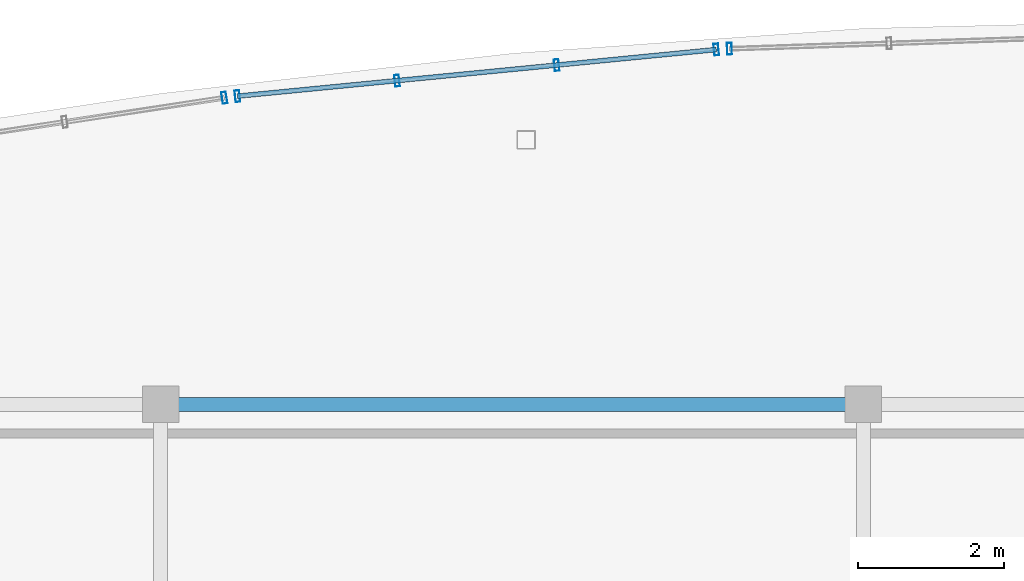
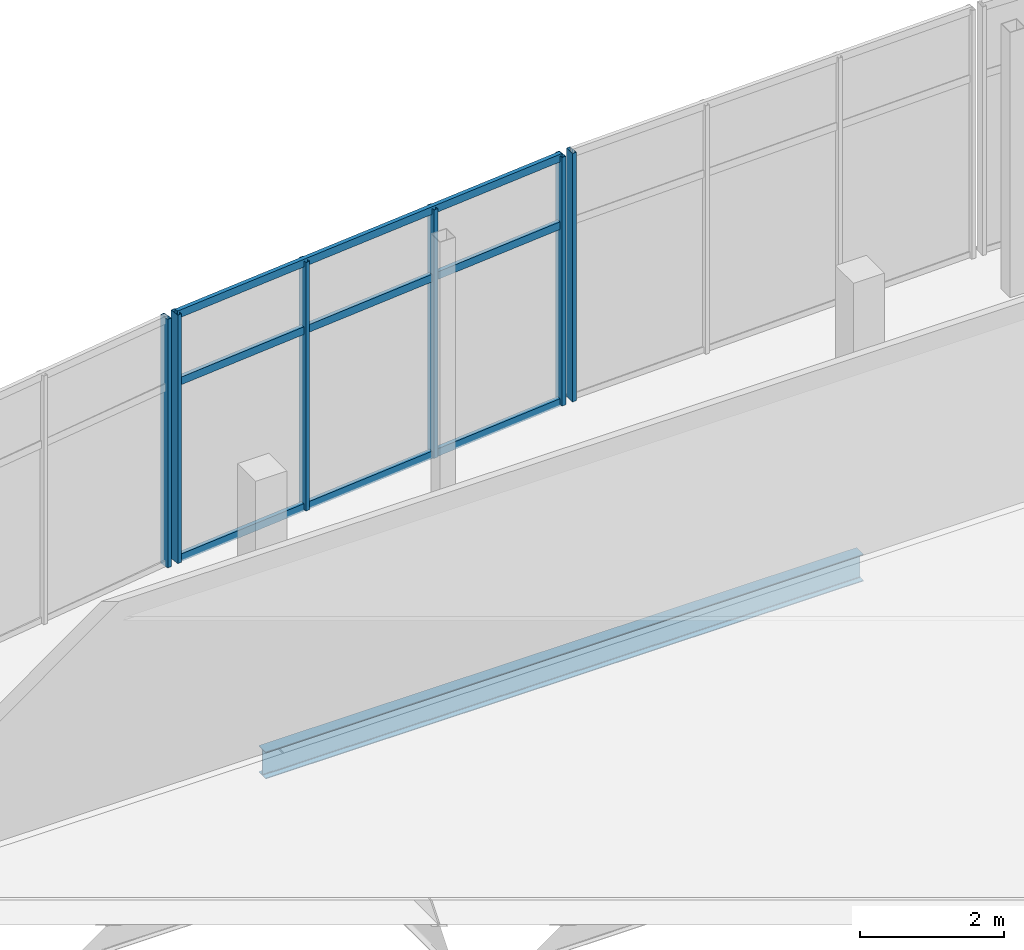
# One storey, part 70 of 114: 9 members, 1 beam, 3 elements without a shape of their own.
"""IFC4 building model written with IfcOpenShell, lengths in metres."""

from ifc_helpers import new_model, si_unit, direction, frame, origin, origin_2d, place, context, subcontext, project, spatial, hollow_rectangle, i_section, extrude, material, layer, layer_set, material_profile, profile_set, type_object, element, aggregate, save


model = new_model("IFC4")

# Units and contexts
model_context = context("Model", 3, precision=1e-05, world=origin(), true_north=direction((0.0, 1.0)))
body_context = subcontext(model_context, "Body", "Model", "MODEL_VIEW")
ifc_project = project(units=[si_unit("LENGTHUNIT", "METRE"), si_unit("AREAUNIT", "SQUARE_METRE"), si_unit("VOLUMEUNIT", "CUBIC_METRE"), si_unit("PLANEANGLEUNIT", "RADIAN"), si_unit("MASSUNIT", "GRAM", prefix="KILO")], contexts=[model_context])

# Site, building, storey
site_placement = place(None, origin())
site = spatial("IfcSite", under=ifc_project, at=site_placement, CompositionType="ELEMENT")
building_placement = place(site_placement, origin())
building = spatial("IfcBuilding", under=site, at=building_placement, Name="Chalmorin Arch Market", CompositionType="ELEMENT")
storey_placement = place(building_placement, frame((0.0, 0.0, 9.60009765625)))
storey = spatial("IfcBuildingStorey", under=building, at=storey_placement, Name="L02", CompositionType="ELEMENT", Elevation=9.60009765625)

# Curtain wall, member
ifc_material_1 = material(Name="Aluminium 6063-T6", Category="aluminium")
ifc_layer_1 = layer(ifc_material_1, 0.159912109375)
ifc_layer_set_1 = layer_set([ifc_layer_1], Name="Aluminium 6063-T6")
curtain_wall_type_1 = type_object("IfcCurtainWallType", Name="CulinaryStudioCurtainWall-CW3-6620x4220", PredefinedType="NOTDEFINED", material=ifc_layer_set_1)
curtain_wall_1_placement = place(storey_placement, origin())
curtain_wall_1 = element("IfcCurtainWall", 1, at=curtain_wall_1_placement, inside=storey, type_object=curtain_wall_type_1, Name="CW-03-128", PredefinedType="NOTDEFINED")
ifc_material_profile_1 = material_profile(ifc_material_1, hollow_rectangle(XDim=0.06494140625, YDim=0.159912109375, WallThickness=0.00390625, at=origin_2d()), Name="ALU65X160X4")
ifc_profile_set_1 = profile_set([ifc_material_profile_1], Name="Aluminium 6063-T6")
member_type_1 = type_object("IfcMemberType", Name="CurtainWallMullion-65x160", PredefinedType="MULLION", material=ifc_profile_set_1)
member_1_placement = place(storey_placement, frame((68.071044921875, 122.1875, 0.0), z_axis=(0.0, 0.0, 1.0), x_axis=(0.987688340595, 0.15643446504, 0.0)))
member_1 = element("IfcMember", 2, at=member_1_placement, type_object=member_type_1, Name="ML-128-04", PredefinedType="MULLION", context=body_context, shape_type="SweptSolid", body=[
    extrude(hollow_rectangle(XDim=0.06494140625, YDim=0.159912109375, WallThickness=0.00390625, at=origin_2d()), origin(), (0.0, 0.0, 1.0), 4.219970703125),
])
aggregate(curtain_wall_1, [member_1])

# Curtain wall, members
ifc_layer_2 = layer(ifc_material_1, 0.159912109375)
ifc_layer_set_2 = layer_set([ifc_layer_2], Name="Aluminium 6063-T6")
curtain_wall_type_2 = type_object("IfcCurtainWallType", Name="CulinaryStudioCurtainWall-CW3-6570x4220", PredefinedType="NOTDEFINED", material=ifc_layer_set_2)
curtain_wall_2_placement = place(storey_placement, origin())
curtain_wall_2 = element("IfcCurtainWall", 3, at=curtain_wall_2_placement, inside=storey, type_object=curtain_wall_type_2, Name="CW-03-131", PredefinedType="NOTDEFINED")
member_2_placement = place(storey_placement, frame((68.24951171875, 122.209716796875, 0.0), z_axis=(0.0, 0.0, 1.0), x_axis=(0.994521895368, 0.104528463268, 0.0)))
member_2 = element("IfcMember", 4, at=member_2_placement, type_object=member_type_1, Name="ML-131-01", PredefinedType="MULLION", context=body_context, shape_type="SweptSolid", body=[
    extrude(hollow_rectangle(XDim=0.06494140625, YDim=0.159912109375, WallThickness=0.00390625, at=origin_2d()), origin(), (0.0, 0.0, 1.0), 4.219970703125),
])
member_3_placement = place(storey_placement, frame((70.429931640625, 122.421875, 0.0), z_axis=(0.0, 0.0, 1.0), x_axis=(0.994521895368, 0.104528463268, 0.0)))
member_3 = element("IfcMember", 5, at=member_3_placement, type_object=member_type_1, Name="ML-131-02", PredefinedType="MULLION", context=body_context, shape_type="SweptSolid", body=[
    extrude(hollow_rectangle(XDim=0.06494140625, YDim=0.159912109375, WallThickness=0.00390625, at=origin_2d()), origin(), (0.0, 0.0, 1.0), 4.219970703125),
])
member_4_placement = place(storey_placement, frame((72.610107421875, 122.634033203125, 0.0), z_axis=(0.0, 0.0, 1.0), x_axis=(0.994521895368, 0.104528463268, 0.0)))
member_4 = element("IfcMember", 6, at=member_4_placement, type_object=member_type_1, Name="ML-131-03", PredefinedType="MULLION", context=body_context, shape_type="SweptSolid", body=[
    extrude(hollow_rectangle(XDim=0.06494140625, YDim=0.159912109375, WallThickness=0.00390625, at=origin_2d()), origin(), (0.0, 0.0, 1.0), 4.219970703125),
])
member_5_placement = place(storey_placement, frame((74.790283203125, 122.84619140625, 0.0), z_axis=(0.0, 0.0, 1.0), x_axis=(0.994521895368, 0.104528463268, 0.0)))
member_5 = element("IfcMember", 7, at=member_5_placement, type_object=member_type_1, Name="ML-131-04", PredefinedType="MULLION", context=body_context, shape_type="SweptSolid", body=[
    extrude(hollow_rectangle(XDim=0.06494140625, YDim=0.159912109375, WallThickness=0.00390625, at=origin_2d()), origin(), (0.0, 0.0, 1.0), 4.219970703125),
])

# Curtain wall, member
ifc_layer_3 = layer(ifc_material_1, 0.159912109375)
ifc_layer_set_3 = layer_set([ifc_layer_3], Name="Aluminium 6063-T6")
curtain_wall_type_3 = type_object("IfcCurtainWallType", Name="CulinaryStudioCurtainWall-CW3-6540x4220", PredefinedType="NOTDEFINED", material=ifc_layer_set_3)
curtain_wall_3_placement = place(storey_placement, origin())
curtain_wall_3 = element("IfcCurtainWall", 8, at=curtain_wall_3_placement, inside=storey, type_object=curtain_wall_type_3, Name="CW-03-134", PredefinedType="NOTDEFINED")
member_6_placement = place(storey_placement, frame((74.969970703125, 122.85791015625, 0.0), z_axis=(0.0, 0.0, 1.0), x_axis=(0.999390827019, 0.034899496703, 0.0)))
member_6 = element("IfcMember", 9, at=member_6_placement, type_object=member_type_1, Name="ML-134-01", PredefinedType="MULLION", context=body_context, shape_type="SweptSolid", body=[
    extrude(hollow_rectangle(XDim=0.06494140625, YDim=0.159912109375, WallThickness=0.00390625, at=origin_2d()), origin(), (0.0, 0.0, 1.0), 4.219970703125),
])
aggregate(curtain_wall_3, [member_6])

# Member
ifc_material_profile_2 = material_profile(ifc_material_1, hollow_rectangle(XDim=0.06494140625, YDim=0.1298828125, WallThickness=0.00390625, at=origin_2d()), Name="ALU65X130X4")
ifc_profile_set_2 = profile_set([ifc_material_profile_2], Name="Aluminium 6063-T6")
member_type_2 = type_object("IfcMemberType", Name="CurtainWallTransom-65x130", PredefinedType="USERDEFINED", material=ifc_profile_set_2)
member_7_placement = place(storey_placement, frame((68.24951171875, 122.209716796875, 0.034912109375), z_axis=(0.995298859057, 0.096851335357, 0.0), x_axis=(-0.096851335357, 0.995298859057, 0.0)))
member_7 = element("IfcMember", 10, at=member_7_placement, type_object=member_type_2, Name="TR-131-01", ObjectType="TRANSOM", PredefinedType="USERDEFINED", context=body_context, shape_type="SweptSolid", body=[
    extrude(hollow_rectangle(XDim=0.06494140625, YDim=0.1298828125, WallThickness=0.00390625, at=origin_2d()), origin(), (0.0, 0.0, 1.0), 6.57177734375),
])

member_8_placement = place(storey_placement, frame((68.24951171875, 122.209716796875, 3.038330078125), z_axis=(0.995298859057, 0.096851335357, 0.0), x_axis=(-0.096851335357, 0.995298859057, 0.0)))
member_8 = element("IfcMember", 11, at=member_8_placement, type_object=member_type_2, Name="TR-131-02", ObjectType="TRANSOM", PredefinedType="USERDEFINED", context=body_context, shape_type="SweptSolid", body=[
    extrude(hollow_rectangle(XDim=0.06494140625, YDim=0.1298828125, WallThickness=0.00390625, at=origin_2d()), origin(), (0.0, 0.0, 1.0), 6.57177734375),
])

member_9_placement = place(storey_placement, frame((68.24951171875, 122.209716796875, 4.184814453125), z_axis=(0.995298859057, 0.096851335357, 0.0), x_axis=(-0.096851335357, 0.995298859057, 0.0)))
member_9 = element("IfcMember", 12, at=member_9_placement, type_object=member_type_2, Name="TR-131-03", ObjectType="TRANSOM", PredefinedType="USERDEFINED", context=body_context, shape_type="SweptSolid", body=[
    extrude(hollow_rectangle(XDim=0.06494140625, YDim=0.1298828125, WallThickness=0.00390625, at=origin_2d()), origin(), (0.0, 0.0, 1.0), 6.57177734375),
])

aggregate(curtain_wall_2, [member_2, member_3, member_4, member_5, member_7, member_8, member_9])

# Beam
ifc_material_2 = material(Name="Steel A992 Grade 50", Category="steel")
ifc_material_profile_3 = material_profile(ifc_material_2, i_section(OverallWidth=0.19091796875, OverallDepth=0.45703125, WebThickness=0.009033203125, FlangeThickness=0.014404296875, FilletRadius=0.02001953125, at=origin_2d()), Name="W18X50")
ifc_profile_set_3 = profile_set([ifc_material_profile_3], Name="Steel A992 Grade 50")
beam_type = type_object("IfcBeamType", Name="PerimeterSpandrelBeam-W18X50", PredefinedType="SPANDREL", material=ifc_profile_set_3)
beam_placement = place(storey_placement, frame((67.199951171875, 118.0, -0.510498046875), z_axis=(1.0, 0.0, 0.0), x_axis=(0.0, 1.0, 0.0)))
element("IfcBeam", 13, at=beam_placement, inside=storey, type_object=beam_type, Name="SP-W18-1255", PredefinedType="SPANDREL", context=body_context, shape_type="SweptSolid", body=[
    extrude(i_section(OverallWidth=0.19091796875, OverallDepth=0.45703125, WebThickness=0.009033203125, FlangeThickness=0.014404296875, FilletRadius=0.02001953125, at=origin_2d()), origin(), (0.0, 0.0, 1.0), 9.60009765625),
])

save(model, "model.ifc")
